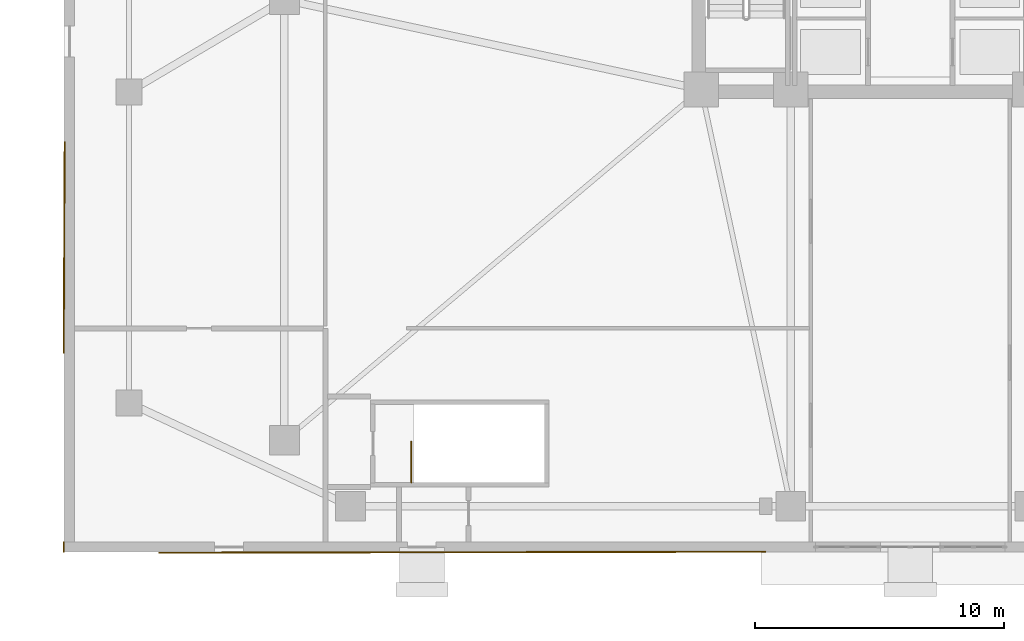
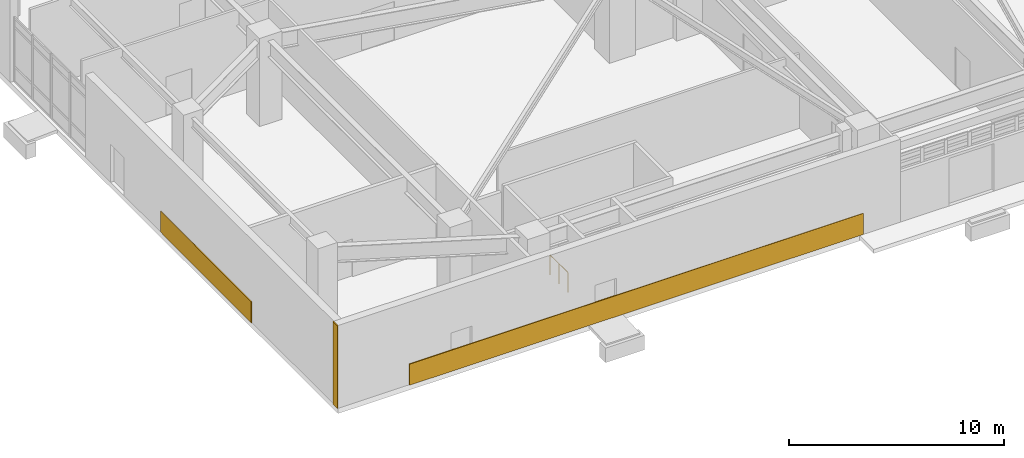
# One storey, part 13 of 21: 3 coverings, 1 railing.
"""IFC4 building model written with IfcOpenShell, lengths in metres."""

from ifc_helpers import new_model, si_unit, direction, frame, frame_2d, origin, origin_2d, place, context, subcontext, project, spatial, rectangle, circle, extrude, material, layer, layer_set, type_object, element, save


model = new_model("IFC4")

# Units and contexts
model_context = context("Model", 3, precision=1e-05, world=origin(), true_north=direction((0.0, 1.0)))
body_context = subcontext(model_context, "Body", "Model", "MODEL_VIEW")
ifc_project = project(units=[si_unit("LENGTHUNIT", "METRE"), si_unit("AREAUNIT", "SQUARE_METRE"), si_unit("VOLUMEUNIT", "CUBIC_METRE"), si_unit("PLANEANGLEUNIT", "RADIAN"), si_unit("MASSUNIT", "GRAM", prefix="KILO")], contexts=[model_context])

# Site, building, storey
site_placement = place(None, origin())
site = spatial("IfcSite", under=ifc_project, at=site_placement, CompositionType="ELEMENT")
building_placement = place(site_placement, origin())
building = spatial("IfcBuilding", under=site, at=building_placement, Name="Cairnveth Concourse Tower", CompositionType="ELEMENT")
storey_placement = place(building_placement, origin())
storey = spatial("IfcBuildingStorey", under=building, at=storey_placement, Name="L00", CompositionType="ELEMENT", Elevation=0.0)

# Coverings
ifc_material_1 = material(Name="Dressed Melbourne Bluestone Cladding", Category="masonry")
ifc_layer = layer(ifc_material_1, 0.050048828125)
ifc_layer_set = layer_set([ifc_layer], Name="Dressed Melbourne Bluestone Cladding")
covering_type = type_object("IfcCoveringType", Name="DRESSED BLUESTONE PLINTH CLADDING 50", PredefinedType="CLADDING", material=ifc_layer_set)
covering_1_placement = place(storey_placement, frame((21.800048828125, 11.97998046875, 0.0), z_axis=(0.0, 0.0, 1.0), x_axis=(0.999998653641, 0.001640949543, 0.0)))
element("IfcCovering", 1, at=covering_1_placement, inside=storey, type_object=covering_type, Name="Melbourne Bluestone Plinth Cladding CL-L00-S1", PredefinedType="CLADDING", context=body_context, shape_type="SweptSolid", body=[
    extrude(rectangle(XDim=24.39990234375, YDim=0.050048828125, at=frame_2d((12.199951171875, 0.0))), origin(), (0.0, 0.0, 1.0), 1.199951171875),
])
covering_2_placement = place(storey_placement, frame((17.97998046875, 20.0, 0.0), z_axis=(0.0, 0.0, 1.0), x_axis=(0.004710425683, 0.999988905883, 0.0)))
element("IfcCovering", 2, at=covering_2_placement, inside=storey, type_object=covering_type, Name="Melbourne Bluestone Plinth Cladding CL-L00-W1", PredefinedType="CLADDING", context=body_context, shape_type="SweptSolid", body=[
    extrude(rectangle(XDim=8.5, YDim=0.050048828125, at=frame_2d((4.25, 0.0))), origin(), (0.0, 0.0, 1.0), 1.199951171875),
])
covering_3_placement = place(storey_placement, frame((17.97998046875, 12.419921875, 0.0), z_axis=(0.0, 0.0, 1.0), x_axis=(0.0, -1.0, 0.0)))
element("IfcCovering", 3, at=covering_3_placement, inside=storey, type_object=covering_type, Name="Melbourne Bluestone Corner Quoin L00-6", PredefinedType="CLADDING", context=body_context, shape_type="SweptSolid", body=[
    extrude(rectangle(XDim=0.419921875, YDim=0.050048828125, at=frame_2d((0.2099609375, 0.0))), origin(), (0.0, 0.0, 1.0), 4.699951171875),
])

# Railing
ifc_material_2 = material(Name="Steel Grade 350", Category="steel")
railing_type = type_object("IfcRailingType", Name="STAIR GUARDRAIL 1150", PredefinedType="GUARDRAIL", material=ifc_material_2)
railing_placement = place(storey_placement, frame((31.949951171875, 14.800048828125, 0.0)))
element("IfcRailing", 4, at=railing_placement, inside=storey, type_object=railing_type, Name="L00 ST-B1 top well guard 1", PredefinedType="GUARDRAIL", context=body_context, shape_type="SweptSolid", body=[
    extrude(circle(Radius=0.02392578125, at=origin_2d()), frame((0.0, 0.0, 1.1259765625), z_axis=(0.0, 1.0, 0.0), x_axis=(-1.0, 0.0, 0.0)), (0.0, 0.0, 1.0), 1.639892578125),
    extrude(circle(Radius=0.02099609375, at=origin_2d()), origin(), (0.0, 0.0, 1.0), 1.101806640625),
    extrude(circle(Radius=0.02099609375, at=origin_2d()), frame((0.0, 0.81982421875, 0.0)), (0.0, 0.0, 1.0), 1.101806640625),
    extrude(circle(Radius=0.02099609375, at=origin_2d()), frame((0.0, 1.639892578125, 0.0)), (0.0, 0.0, 1.0), 1.101806640625),
])

save(model, "model.ifc")
